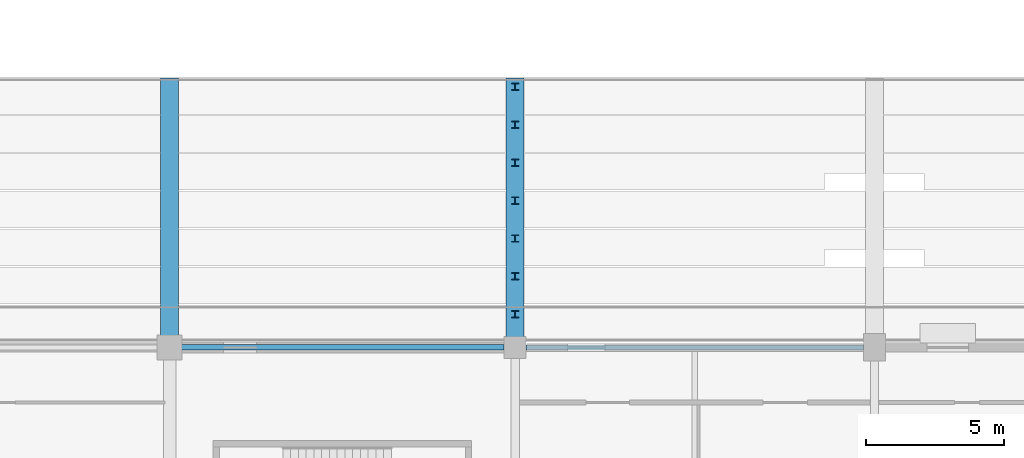
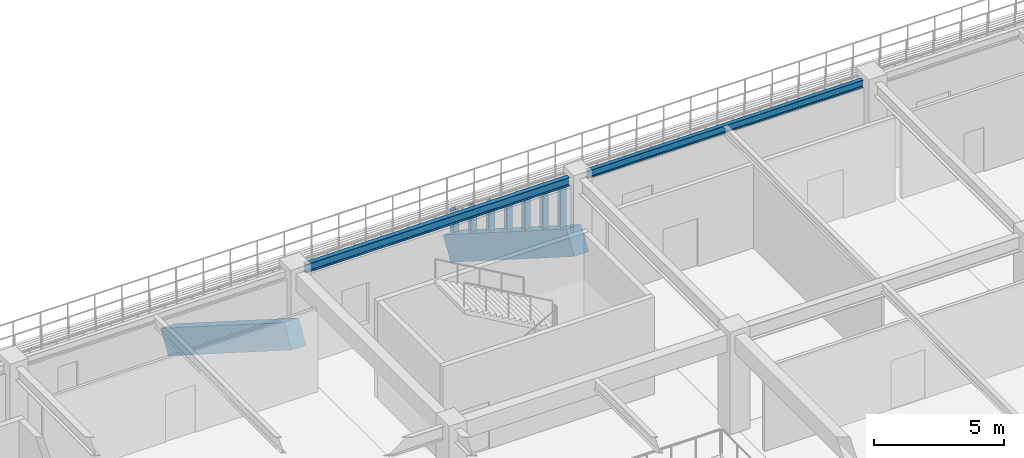
# One storey, part 16 of 134: 7 members, 4 beams.
"""IFC4 building model written with IfcOpenShell, lengths in metres."""

from ifc_helpers import new_model, si_unit, direction, frame, origin, origin_2d, place, context, subcontext, project, spatial, rectangle, i_section, extrude, material, material_profile, profile_set, type_object, element, save


model = new_model("IFC4")

# Units and contexts
model_context = context("Model", 3, precision=1e-05, world=origin(), true_north=direction((0.0, 1.0)))
body_context = subcontext(model_context, "Body", "Model", "MODEL_VIEW")
ifc_project = project(units=[si_unit("LENGTHUNIT", "METRE"), si_unit("AREAUNIT", "SQUARE_METRE"), si_unit("VOLUMEUNIT", "CUBIC_METRE"), si_unit("PLANEANGLEUNIT", "RADIAN"), si_unit("MASSUNIT", "GRAM", prefix="KILO")], contexts=[model_context])

# Site, building, storey
site_placement = place(None, origin())
site = spatial("IfcSite", under=ifc_project, at=site_placement, CompositionType="ELEMENT")
building_placement = place(site_placement, origin())
building = spatial("IfcBuilding", under=site, at=building_placement, Name="Kazenohara Klinker Stadium", CompositionType="ELEMENT")
storey_placement = place(building_placement, frame((0.0, 0.0, 5.39990234375)))
storey = spatial("IfcBuildingStorey", under=building, at=storey_placement, Name="L01", CompositionType="ELEMENT", Elevation=5.39990234375)

# Beams
ifc_material_1 = material(Name="Steel S355", Category="steel")
ifc_material_profile_1 = material_profile(ifc_material_1, i_section(OverallWidth=0.199951171875, OverallDepth=0.39990234375, WebThickness=0.008056640625, FlangeThickness=0.012939453125, FilletRadius=0.012939453125, at=origin_2d()), Name="H-400x200x8x13")
ifc_profile_set_1 = profile_set([ifc_material_profile_1], Name="Steel S355")
beam_type_1 = type_object("IfcBeamType", Name="BM-SPD01", PredefinedType="SPANDREL", material=ifc_profile_set_1)
beam_1_placement = place(storey_placement, frame((86.919921875, 36.0, 4.35009765625), z_axis=(1.0, 0.0, 0.0), x_axis=(0.0, 1.0, 0.0)))
element("IfcBeam", 1, at=beam_1_placement, inside=storey, type_object=beam_type_1, Name="Primary girder SP01 L01 8-9/D", PredefinedType="SPANDREL", context=body_context, shape_type="SweptSolid", body=[
    extrude(i_section(OverallWidth=0.199951171875, OverallDepth=0.39990234375, WebThickness=0.008056640625, FlangeThickness=0.012939453125, FilletRadius=0.012939453125, at=origin_2d()), origin(), (0.0, 0.0, 1.0), 11.68017578125),
])
ifc_material_profile_2 = material_profile(ifc_material_1, i_section(OverallWidth=0.175048828125, OverallDepth=0.35009765625, WebThickness=0.007080078125, FlangeThickness=0.010986328125, FilletRadius=0.012939453125, at=origin_2d()), Name="H-350x175x7x11")
ifc_profile_set_2 = profile_set([ifc_material_profile_2], Name="Steel S355")
beam_type_2 = type_object("IfcBeamType", Name="BM-SPD02", PredefinedType="SPANDREL", material=ifc_profile_set_2)
beam_2_placement = place(storey_placement, frame((99.39990234375, 36.0, 4.375), z_axis=(1.0, 0.0, 0.0), x_axis=(0.0, 1.0, 0.0)))
element("IfcBeam", 2, at=beam_2_placement, inside=storey, type_object=beam_type_2, Name="Primary girder SP02 L01 9-10/D", PredefinedType="SPANDREL", context=body_context, shape_type="SweptSolid", body=[
    extrude(i_section(OverallWidth=0.175048828125, OverallDepth=0.35009765625, WebThickness=0.007080078125, FlangeThickness=0.010986328125, FilletRadius=0.012939453125, at=origin_2d()), origin(), (0.0, 0.0, 1.0), 12.2001953125),
])

# Members
ifc_material_profile_3 = material_profile(ifc_material_1, i_section(OverallWidth=0.25, OverallDepth=0.25, WebThickness=0.009033203125, FlangeThickness=0.013916015625, FilletRadius=0.012939453125, at=origin_2d()), Name="H-250x250x9x14")
ifc_profile_set_3 = profile_set([ifc_material_profile_3], Name="Steel S355")
member_type = type_object("IfcMemberType", Name="MEM-STR02", PredefinedType="STRUT", material=ifc_profile_set_3)
member_1_placement = place(storey_placement, frame((99.0, 37.198486328125, 1.2783203125), z_axis=(0.0, 0.0, 1.0), x_axis=(1.0, 0.0, 0.0)))
element("IfcMember", 3, at=member_1_placement, inside=storey, type_object=member_type, Name="Precast tier riser stool LOWER-S-01-08", PredefinedType="STRUT", context=body_context, shape_type="SweptSolid", body=[
    extrude(i_section(OverallWidth=0.25, OverallDepth=0.25, WebThickness=0.009033203125, FlangeThickness=0.013916015625, FilletRadius=0.012939453125, at=origin_2d()), origin(), (0.0, 0.0, 1.0), 1.911865234375),
])
member_2_placement = place(storey_placement, frame((99.0, 38.570068359375, 0.407470703125), z_axis=(0.0, 0.0, 1.0), x_axis=(1.0, 0.0, 0.0)))
element("IfcMember", 4, at=member_2_placement, inside=storey, type_object=member_type, Name="Precast tier riser stool LOWER-S-02-08", PredefinedType="STRUT", context=body_context, shape_type="SweptSolid", body=[
    extrude(i_section(OverallWidth=0.25, OverallDepth=0.25, WebThickness=0.009033203125, FlangeThickness=0.013916015625, FilletRadius=0.012939453125, at=origin_2d()), origin(), (0.0, 0.0, 1.0), 1.78271484375),
])
member_3_placement = place(storey_placement, frame((99.0, 39.94140625, -0.463134765625), z_axis=(0.0, 0.0, 1.0), x_axis=(1.0, 0.0, 0.0)))
element("IfcMember", 5, at=member_3_placement, inside=storey, type_object=member_type, Name="Precast tier riser stool LOWER-S-03-08", PredefinedType="STRUT", context=body_context, shape_type="SweptSolid", body=[
    extrude(i_section(OverallWidth=0.25, OverallDepth=0.25, WebThickness=0.009033203125, FlangeThickness=0.013916015625, FilletRadius=0.012939453125, at=origin_2d()), origin(), (0.0, 0.0, 1.0), 1.6533203125),
])
member_4_placement = place(storey_placement, frame((99.0, 41.31298828125, -1.333984375), z_axis=(0.0, 0.0, 1.0), x_axis=(1.0, 0.0, 0.0)))
element("IfcMember", 6, at=member_4_placement, inside=storey, type_object=member_type, Name="Precast tier riser stool LOWER-S-04-08", PredefinedType="STRUT", context=body_context, shape_type="SweptSolid", body=[
    extrude(i_section(OverallWidth=0.25, OverallDepth=0.25, WebThickness=0.009033203125, FlangeThickness=0.013916015625, FilletRadius=0.012939453125, at=origin_2d()), origin(), (0.0, 0.0, 1.0), 1.524169921875),
])
member_5_placement = place(storey_placement, frame((99.0, 42.684326171875, -2.20458984375), z_axis=(0.0, 0.0, 1.0), x_axis=(1.0, 0.0, 0.0)))
element("IfcMember", 7, at=member_5_placement, inside=storey, type_object=member_type, Name="Precast tier riser stool LOWER-S-05-08", PredefinedType="STRUT", context=body_context, shape_type="SweptSolid", body=[
    extrude(i_section(OverallWidth=0.25, OverallDepth=0.25, WebThickness=0.009033203125, FlangeThickness=0.013916015625, FilletRadius=0.012939453125, at=origin_2d()), origin(), (0.0, 0.0, 1.0), 1.394775390625),
])
member_6_placement = place(storey_placement, frame((99.0, 44.0556640625, -3.075439453125), z_axis=(0.0, 0.0, 1.0), x_axis=(1.0, 0.0, 0.0)))
element("IfcMember", 8, at=member_6_placement, inside=storey, type_object=member_type, Name="Precast tier riser stool LOWER-S-06-08", PredefinedType="STRUT", context=body_context, shape_type="SweptSolid", body=[
    extrude(i_section(OverallWidth=0.25, OverallDepth=0.25, WebThickness=0.009033203125, FlangeThickness=0.013916015625, FilletRadius=0.012939453125, at=origin_2d()), origin(), (0.0, 0.0, 1.0), 1.265625),
])
member_7_placement = place(storey_placement, frame((99.0, 45.427001953125, -3.9462890625), z_axis=(0.0, 0.0, 1.0), x_axis=(1.0, 0.0, 0.0)))
element("IfcMember", 9, at=member_7_placement, inside=storey, type_object=member_type, Name="Precast tier riser stool LOWER-S-07-08", PredefinedType="STRUT", context=body_context, shape_type="SweptSolid", body=[
    extrude(i_section(OverallWidth=0.25, OverallDepth=0.25, WebThickness=0.009033203125, FlangeThickness=0.013916015625, FilletRadius=0.012939453125, at=origin_2d()), origin(), (0.0, 0.0, 1.0), 1.136474609375),
])

# Beams
ifc_material_2 = material(Name="Precast concrete C50/60", Category="concrete")
ifc_material_profile_4 = material_profile(ifc_material_2, rectangle(XDim=0.64990234375, YDim=1.10009765625, at=origin_2d()), Name="PC-RAKER-650x1100")
ifc_profile_set_4 = profile_set([ifc_material_profile_4], Name="Precast concrete C50/60")
beam_type_3 = type_object("IfcBeamType", Name="RAKER-RK01", PredefinedType="USERDEFINED", material=ifc_profile_set_4)
for number, where, z_axis, x_axis, name in (
    (10, (86.5, 36.0, 1.401611328125), (0.0, 0.844211562005, -0.536010110518), (-1.0, 0.0, 0.0), "Precast bowl raker girder RK01 LOWER South 8"),
    (11, (99.0, 36.0, 1.401611328125), (0.0, 0.844211562005, -0.536010110518), (-1.0, 0.0, 0.0), "Precast bowl raker girder RK01 LOWER South 9"),
):
    element("IfcBeam", number, at=place(storey_placement, frame(where, z_axis=z_axis, x_axis=x_axis)), inside=storey, type_object=beam_type_3, Name=name, ObjectType="RAKER", PredefinedType="USERDEFINED", context=body_context, shape_type="SweptSolid", body=[
        extrude(rectangle(XDim=0.64990234375, YDim=1.10009765625, at=origin_2d()), origin(), (0.0, 0.0, 1.0), 11.19384765625),
    ])

save(model, "model.ifc")
